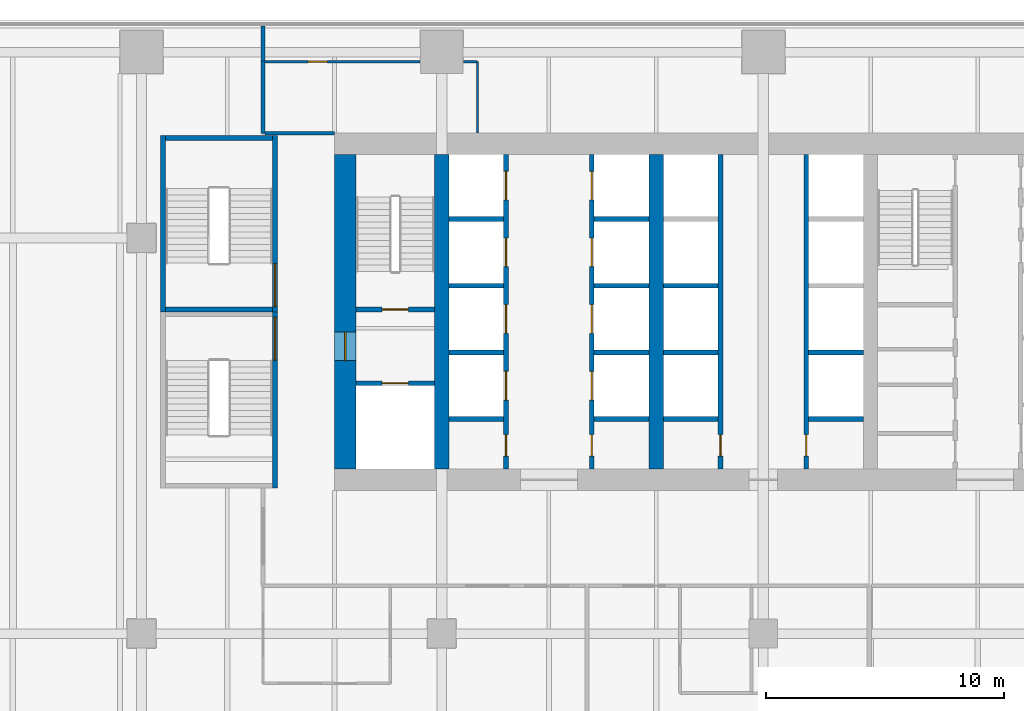
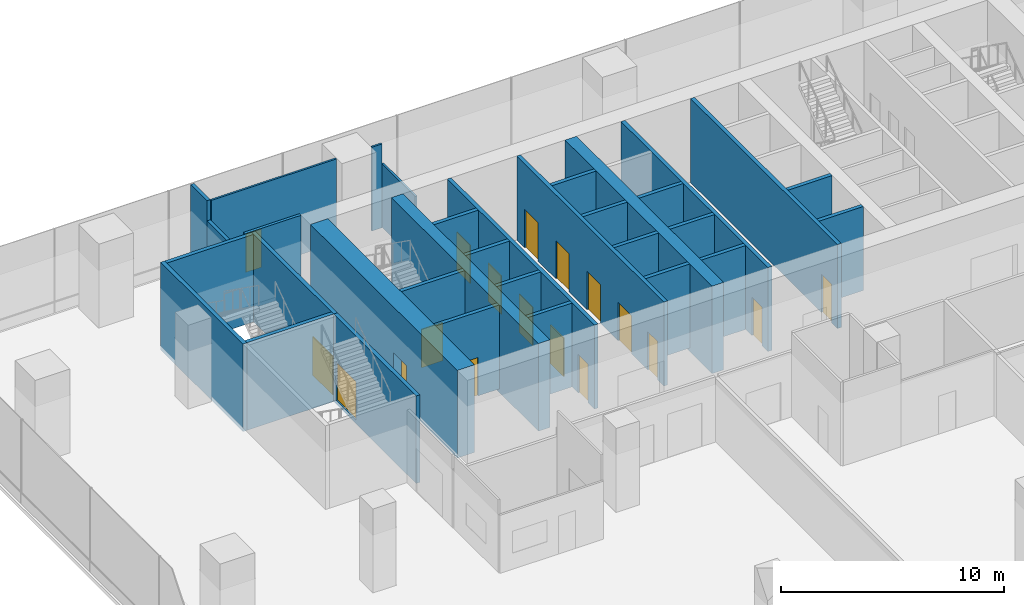
# One storey, part 20 of 28: 33 walls, 18 doors, 18 openings.
"""IFC4 building model written with IfcOpenShell, lengths in metres."""

from ifc_helpers import new_model, si_unit, direction, frame, frame_2d, origin, place, context, subcontext, project, spatial, rectangle, extrude, material, layer, layer_set, type_object, element, fill, save


model = new_model("IFC4")

# Units and contexts
model_context = context("Model", 3, precision=1e-05, world=origin(), true_north=direction((0.0, 1.0)))
body_context = subcontext(model_context, "Body", "Model", "MODEL_VIEW")
ifc_project = project(units=[si_unit("LENGTHUNIT", "METRE"), si_unit("AREAUNIT", "SQUARE_METRE"), si_unit("VOLUMEUNIT", "CUBIC_METRE"), si_unit("PLANEANGLEUNIT", "RADIAN"), si_unit("MASSUNIT", "GRAM", prefix="KILO")], contexts=[model_context])

# Site, building, storey
site_placement = place(None, origin())
site = spatial("IfcSite", under=ifc_project, at=site_placement, CompositionType="ELEMENT")
building_placement = place(site_placement, origin())
building = spatial("IfcBuilding", under=site, at=building_placement, Name="Rattan Terrace Tower", CompositionType="ELEMENT")
storey_placement = place(building_placement, frame((0.0, 0.0, 22.199951171875)))
storey = spatial("IfcBuildingStorey", under=building, at=storey_placement, Name="L04", CompositionType="ELEMENT", Elevation=22.199951171875)

# Wall, opening, door
ifc_material_1 = material(Name="Gypsum board partition")
ifc_layer_1 = layer(ifc_material_1, 0.199951171875)
ifc_layer_set_1 = layer_set([ifc_layer_1], Name="Core partition 200")
wall_type_1 = type_object("IfcWallType", Name="Core partition 200", PredefinedType="PARTITIONING", material=ifc_layer_set_1)
wall_1_placement = place(storey_placement, frame((-17.10009765625, -3.0, 0.0), z_axis=(0.0, 0.0, 1.0), x_axis=(1.0, 0.0, 0.0)))
wall_1 = element("IfcWall", 1, at=wall_1_placement, inside=storey, type_object=wall_type_1, Name="Fire-fighting lobby wall", PredefinedType="PARTITIONING", context=body_context, shape_type="SweptSolid", body=[
    extrude(rectangle(XDim=3.300048828125, YDim=0.199951171875, at=frame_2d((1.64990234375, 0.0))), origin(), (0.0, 0.0, 1.0), 4.60009765625),
])
opening_1_placement = place(wall_1_placement, frame((1.10009765625, 0.0, 0.0)))
opening_1 = element("IfcOpeningElement", 2, at=opening_1_placement, cuts=wall_1, Name="Opening L04-LD-FF1", PredefinedType="OPENING", context=body_context, shape_type="SweptSolid", body=[
    extrude(rectangle(XDim=1.10009765625, YDim=2.10009765625, at=frame_2d((0.550048828125, 1.050048828125))), frame((0.0, 0.110595703125, 0.0), z_axis=(0.0, -1.0, 0.0), x_axis=(1.0, 0.0, 0.0)), (0.0, 0.0, 1.0), 0.220947265625),
])
ifc_material_2 = material(Name="Brushed stainless landing door panel")
door_type_1 = type_object("IfcDoorType", Name="Core lift landing door 1100", OperationType="DOUBLE_DOOR_SLIDING", PredefinedType="DOOR", material=ifc_material_2)
door_1_placement = place(opening_1_placement, origin())
door_1 = element("IfcDoor", 3, at=door_1_placement, inside=storey, type_object=door_type_1, Name="Door L04-LD-FF1", OperationType="DOUBLE_DOOR_SLIDING", OverallHeight=2.10009765625, OverallWidth=1.10009765625, PredefinedType="DOOR", context=body_context, shape_type="SweptSolid", body=[
    extrude(rectangle(XDim=1.10009765625, YDim=2.10009765625, at=frame_2d((0.550048828125, 1.050048828125))), frame((0.0, 0.02490234375, 0.0), z_axis=(0.0, -1.0, 0.0), x_axis=(1.0, 0.0, 0.0)), (0.0, 0.0, 1.0), 0.050048828125),
])
fill(opening_1, door_1)

wall_2_placement = place(storey_placement, frame((-17.10009765625, 0.10009765625, 0.0), z_axis=(0.0, 0.0, 1.0), x_axis=(1.0, 0.0, 0.0)))
wall_2 = element("IfcWall", 4, at=wall_2_placement, inside=storey, type_object=wall_type_1, Name="Stair enclosure wall", PredefinedType="PARTITIONING", context=body_context, shape_type="SweptSolid", body=[
    extrude(rectangle(XDim=3.300048828125, YDim=0.199951171875, at=frame_2d((1.64990234375, 0.0))), origin(), (0.0, 0.0, 1.0), 4.60009765625),
])
opening_2_placement = place(wall_2_placement, frame((1.10009765625, 0.0, 0.0)))
opening_2 = element("IfcOpeningElement", 5, at=opening_2_placement, cuts=wall_2, Name="Opening L04-D002", PredefinedType="OPENING", context=body_context, shape_type="SweptSolid", body=[
    extrude(rectangle(XDim=1.10009765625, YDim=2.10009765625, at=frame_2d((0.550048828125, 1.050048828125))), frame((0.0, 0.110595703125, 0.0), z_axis=(0.0, -1.0, 0.0), x_axis=(1.0, 0.0, 0.0)), (0.0, 0.0, 1.0), 0.220947265625),
])
ifc_material_3 = material(Name="Hollow-metal fire door leaf")
door_type_2 = type_object("IfcDoorType", Name="Core stair door 1100", OperationType="NOTDEFINED", PredefinedType="DOOR", material=ifc_material_3)
door_2_placement = place(opening_2_placement, origin())
door_2 = element("IfcDoor", 6, at=door_2_placement, inside=storey, type_object=door_type_2, Name="Door L04-D002", OperationType="SINGLE_SWING_LEFT", OverallHeight=2.10009765625, OverallWidth=1.10009765625, PredefinedType="DOOR", context=body_context, shape_type="SweptSolid", body=[
    extrude(rectangle(XDim=1.10009765625, YDim=2.10009765625, at=frame_2d((0.550048828125, 1.050048828125))), frame((0.0, 0.02490234375, 0.0), z_axis=(0.0, -1.0, 0.0), x_axis=(1.0, 0.0, 0.0)), (0.0, 0.0, 1.0), 0.050048828125),
])
fill(opening_2, door_2)

ifc_material_4 = material(Name="Concrete C70/85", Category="concrete")
ifc_layer_2 = layer(ifc_material_4, 0.89990234375)
ifc_layer_set_2 = layer_set([ifc_layer_2], Name="Core ring wall 900 C70/85")
wall_type_2 = type_object("IfcWallType", Name="Core ring wall 900 C70/85", PredefinedType="SHEAR", material=ifc_layer_set_2)
wall_3_placement = place(storey_placement, frame((-17.550048828125, -6.60009765625, -0.199951171875), z_axis=(0.0, 0.0, 1.0), x_axis=(0.0, 1.0, 0.0)))
wall_3 = element("IfcWall", 7, at=wall_3_placement, inside=storey, type_object=wall_type_2, Name="Rear core wall west", PredefinedType="SHEAR", context=body_context, shape_type="SweptSolid", body=[
    extrude(rectangle(XDim=13.2001953125, YDim=0.89990234375, at=frame_2d((6.60009765625, 0.0))), origin(), (0.0, 0.0, 1.0), 4.800048828125),
])
opening_3_placement = place(wall_3_placement, frame((4.550048828125, 0.0, 0.199951171875)))
opening_3 = element("IfcOpeningElement", 8, at=opening_3_placement, cuts=wall_3, Name="Opening L04-D001", PredefinedType="OPENING", context=body_context, shape_type="SweptSolid", body=[
    extrude(rectangle(XDim=1.199951171875, YDim=2.10009765625, at=frame_2d((0.60009765625, 1.050048828125))), frame((0.0, 0.46044921875, 0.0), z_axis=(0.0, -1.0, 0.0), x_axis=(1.0, 0.0, 0.0)), (0.0, 0.0, 1.0), 0.9208984375),
])
ifc_material_5 = material(Name="Hollow-metal fire door leaf")
door_type_3 = type_object("IfcDoorType", Name="Core fire-fighting lobby door 1200", OperationType="NOTDEFINED", PredefinedType="DOOR", material=ifc_material_5)
door_3_placement = place(opening_3_placement, origin())
door_3 = element("IfcDoor", 9, at=door_3_placement, inside=storey, type_object=door_type_3, Name="Door L04-D001", OperationType="SINGLE_SWING_RIGHT", OverallHeight=2.10009765625, OverallWidth=1.199951171875, PredefinedType="DOOR", context=body_context, shape_type="SweptSolid", body=[
    extrude(rectangle(XDim=1.199951171875, YDim=2.10009765625, at=frame_2d((0.60009765625, 1.050048828125))), frame((0.0, 0.02490234375, 0.0), z_axis=(0.0, -1.0, 0.0), x_axis=(1.0, 0.0, 0.0)), (0.0, 0.0, 1.0), 0.050048828125),
])
fill(opening_3, door_3)

# Walls
ifc_material_6 = material(Name="Concrete C70/85", Category="concrete")
ifc_layer_3 = layer(ifc_material_6, 0.60009765625)
ifc_layer_set_3 = layer_set([ifc_layer_3], Name="Core spine wall 600 C70/85")
wall_type_3 = type_object("IfcWallType", Name="Core spine wall 600 C70/85", PredefinedType="SHEAR", material=ifc_layer_set_3)
for number, where, z_axis, x_axis, name in (
    (10, (-13.5, -6.60009765625, -0.199951171875), (0.0, 0.0, 1.0), (0.0, 1.0, 0.0), "Core spine wall 1"),
    (11, (-4.5, -6.60009765625, -0.199951171875), (0.0, 0.0, 1.0), (0.0, 1.0, 0.0), "Core spine wall 2"),
):
    element("IfcWall", number, at=place(storey_placement, frame(where, z_axis=z_axis, x_axis=x_axis)), inside=storey, type_object=wall_type_3, Name=name, PredefinedType="SHEAR", context=body_context, shape_type="SweptSolid", body=[
        extrude(rectangle(XDim=13.2001953125, YDim=0.60009765625, at=frame_2d((6.60009765625, 0.0))), origin(), (0.0, 0.0, 1.0), 4.800048828125),
    ])
ifc_material_7 = material(Name="Double steel stud acoustic partition, gypsum board, mineral wool, fire rated", Category="steel")
ifc_layer_4 = layer(ifc_material_7, 0.179931640625)
ifc_layer_set_4 = layer_set([ifc_layer_4], Name="Floors Acoustic Party Wall 180")
wall_type_4 = type_object("IfcWallType", Name="Floors Acoustic Party Wall 180", PredefinedType="PARTITIONING", material=ifc_layer_set_4)
wall_4_placement = place(storey_placement, frame((-21.0, 11.989990234375, 0.0), z_axis=(0.0, 0.0, 1.0), x_axis=(0.0, -1.0, 0.0)))
element("IfcWall", 12, at=wall_4_placement, inside=storey, type_object=wall_type_4, Name="pt-L04-017", PredefinedType="PARTITIONING", context=body_context, shape_type="SweptSolid", body=[
    extrude(rectangle(XDim=1.469970703125, YDim=0.179931640625, at=frame_2d((0.73486328125, 0.0))), origin(), (0.0, 0.0, 1.0), 4.60009765625),
])
wall_5_placement = place(storey_placement, frame((-21.0, 10.52001953125, 0.0), z_axis=(0.0, 0.0, 1.0), x_axis=(0.0, -1.0, 0.0)))
element("IfcWall", 13, at=wall_5_placement, inside=storey, type_object=wall_type_4, Name="pt-L04-018", PredefinedType="PARTITIONING", context=body_context, shape_type="SweptSolid", body=[
    extrude(rectangle(XDim=3.0400390625, YDim=0.179931640625, at=frame_2d((1.52001953125, 0.0))), origin(), (0.0, 0.0, 1.0), 3.5),
])

# Wall, opening, door
ifc_material_8 = material(Name="Gypsum board partition on steel studs", Category="steel")
ifc_layer_5 = layer(ifc_material_8, 0.10009765625)
ifc_layer_set_5 = layer_set([ifc_layer_5], Name="Floors Partition 100")
wall_type_5 = type_object("IfcWallType", Name="Floors Partition 100", PredefinedType="PARTITIONING", material=ifc_layer_set_5)
wall_6_placement = place(storey_placement, frame((-14.419921875, 10.5, 0.0), z_axis=(0.0, 0.0, 1.0), x_axis=(-1.0, 0.0, 0.0)))
wall_6 = element("IfcWall", 14, at=wall_6_placement, inside=storey, type_object=wall_type_5, Name="pt-L04-038", PredefinedType="PARTITIONING", context=body_context, shape_type="SweptSolid", body=[
    extrude(rectangle(XDim=6.489990234375, YDim=0.10009765625, at=frame_2d((3.2451171875, 0.0))), origin(), (0.0, 0.0, 1.0), 4.60009765625),
])
opening_4_placement = place(wall_6_placement, frame((3.883056640625, 0.0, 0.0)))
opening_4 = element("IfcOpeningElement", 15, at=opening_4_placement, cuts=wall_6, Name="Opening L04-D110", PredefinedType="OPENING", context=body_context, shape_type="SweptSolid", body=[
    extrude(rectangle(XDim=0.800048828125, YDim=2.10009765625, at=frame_2d((0.39990234375, 1.050048828125))), frame((0.0, 0.060546875, 0.0), z_axis=(0.0, -1.0, 0.0), x_axis=(1.0, 0.0, 0.0)), (0.0, 0.0, 1.0), 0.12109375),
])
ifc_material_9 = material(Name="Solid core timber door, painted", Category="wood")
door_type_4 = type_object("IfcDoorType", Name="Floors Store Door 800x2100", OperationType="NOTDEFINED", PredefinedType="DOOR", material=ifc_material_9)
door_4_placement = place(opening_4_placement, origin())
door_4 = element("IfcDoor", 16, at=door_4_placement, inside=storey, type_object=door_type_4, Name="d-L04-110", OperationType="SINGLE_SWING_RIGHT", OverallHeight=2.10009765625, OverallWidth=0.800048828125, PredefinedType="DOOR", context=body_context, shape_type="SweptSolid", body=[
    extrude(rectangle(XDim=0.800048828125, YDim=2.10009765625, at=frame_2d((0.39990234375, 1.050048828125))), frame((0.0, 0.02490234375, 0.0), z_axis=(0.0, -1.0, 0.0), x_axis=(1.0, 0.0, 0.0)), (0.0, 0.0, 1.0), 0.050048828125),
])
fill(opening_4, door_4)

# Walls
wall_7_placement = place(storey_placement, frame((-12.050048828125, 10.5, 0.0), z_axis=(0.0, 0.0, 1.0), x_axis=(-1.0, 0.0, 0.0)))
element("IfcWall", 17, at=wall_7_placement, inside=storey, type_object=wall_type_5, Name="pt-L04-039", PredefinedType="PARTITIONING", context=body_context, shape_type="SweptSolid", body=[
    extrude(rectangle(XDim=0.530029296875, YDim=0.10009765625, at=frame_2d((0.26513671875, 0.0))), origin(), (0.0, 0.0, 1.0), 4.60009765625),
])
wall_8_placement = place(storey_placement, frame((-12.0, 7.5, 0.0), z_axis=(0.0, 0.0, 1.0), x_axis=(0.0, 1.0, 0.0)))
element("IfcWall", 18, at=wall_8_placement, inside=storey, type_object=wall_type_5, Name="pt-L04-040", PredefinedType="PARTITIONING", context=body_context, shape_type="SweptSolid", body=[
    extrude(rectangle(XDim=3.0, YDim=0.10009765625, at=frame_2d((1.5, 0.0))), origin(), (0.0, 0.0, 1.0), 3.5),
])
ifc_material_10 = material(Name="Gypsum board partition on steel studs, fire rated", Category="steel")
ifc_layer_6 = layer(ifc_material_10, 0.14990234375)
ifc_layer_set_6 = layer_set([ifc_layer_6], Name="Floors Tenancy Wall 150")
wall_type_6 = type_object("IfcWallType", Name="Floors Tenancy Wall 150", PredefinedType="PARTITIONING", material=ifc_layer_set_6)
wall_9_placement = place(storey_placement, frame((-20.909912109375, 7.4990234375, 0.0), z_axis=(0.0, 0.0, 1.0), x_axis=(1.0, 0.0, 0.0)))
element("IfcWall", 19, at=wall_9_placement, inside=storey, type_object=wall_type_6, Name="pt-L04-012", PredefinedType="PARTITIONING", context=body_context, shape_type="SweptSolid", body=[
    extrude(rectangle(XDim=2.909912109375, YDim=0.14990234375, at=frame_2d((1.455078125, 0.0))), origin(), (0.0, 0.0, 1.0), 4.60009765625),
])

# Wall, openings, doors
ifc_material_11 = material(Name="Gypsum shaft wall system")
ifc_layer_7 = layer(ifc_material_11, 0.199951171875)
ifc_layer_set_7 = layer_set([ifc_layer_7], Name="Lift shaft wall 200")
wall_type_7 = type_object("IfcWallType", Name="Lift shaft wall 200", PredefinedType="PARTITIONING", material=ifc_layer_set_7)
wall_10_placement = place(storey_placement, frame((-10.800048828125, -6.60009765625, 0.0), z_axis=(0.0, 0.0, 1.0), x_axis=(0.0, 1.0, 0.0)))
wall_10 = element("IfcWall", 20, at=wall_10_placement, inside=storey, type_object=wall_type_7, Name="Lift shaft front wall", PredefinedType="PARTITIONING", context=body_context, shape_type="SweptSolid", body=[
    extrude(rectangle(XDim=13.2001953125, YDim=0.199951171875, at=frame_2d((6.60009765625, 0.0))), origin(), (0.0, 0.0, 1.0), 4.60009765625),
])
opening_5_placement = place(wall_10_placement, frame((0.550048828125, 0.0, 0.0)))
opening_5 = element("IfcOpeningElement", 21, at=opening_5_placement, cuts=wall_10, Name="Opening L04-D005", PredefinedType="OPENING", context=body_context, shape_type="SweptSolid", body=[
    extrude(rectangle(XDim=0.89990234375, YDim=2.10009765625, at=frame_2d((0.449951171875, 1.050048828125))), frame((0.0, 0.110595703125, 0.0), z_axis=(0.0, -1.0, 0.0), x_axis=(1.0, 0.0, 0.0)), (0.0, 0.0, 1.0), 0.220947265625),
])
opening_6_placement = place(wall_10_placement, frame((2.89990234375, 0.0, 0.0)))
opening_6 = element("IfcOpeningElement", 22, at=opening_6_placement, cuts=wall_10, Name="Opening L04-LD-LR1", PredefinedType="OPENING", context=body_context, shape_type="SweptSolid", body=[
    extrude(rectangle(XDim=1.199951171875, YDim=2.10009765625, at=frame_2d((0.60009765625, 1.050048828125))), frame((0.0, 0.110595703125, 0.0), z_axis=(0.0, -1.0, 0.0), x_axis=(1.0, 0.0, 0.0)), (0.0, 0.0, 1.0), 0.220947265625),
])
opening_7_placement = place(wall_10_placement, frame((5.699951171875, 0.0, 0.0)))
opening_7 = element("IfcOpeningElement", 23, at=opening_7_placement, cuts=wall_10, Name="Opening L04-LD-LR2", PredefinedType="OPENING", context=body_context, shape_type="SweptSolid", body=[
    extrude(rectangle(XDim=1.199951171875, YDim=2.10009765625, at=frame_2d((0.60009765625, 1.050048828125))), frame((0.0, 0.110595703125, 0.0), z_axis=(0.0, -1.0, 0.0), x_axis=(1.0, 0.0, 0.0)), (0.0, 0.0, 1.0), 0.220947265625),
])
opening_8_placement = place(wall_10_placement, frame((8.5, 0.0, 0.0)))
opening_8 = element("IfcOpeningElement", 24, at=opening_8_placement, cuts=wall_10, Name="Opening L04-LD-LR3", PredefinedType="OPENING", context=body_context, shape_type="SweptSolid", body=[
    extrude(rectangle(XDim=1.199951171875, YDim=2.10009765625, at=frame_2d((0.60009765625, 1.050048828125))), frame((0.0, 0.110595703125, 0.0), z_axis=(0.0, -1.0, 0.0), x_axis=(1.0, 0.0, 0.0)), (0.0, 0.0, 1.0), 0.220947265625),
])
opening_9_placement = place(wall_10_placement, frame((11.300048828125, 0.0, 0.0)))
opening_9 = element("IfcOpeningElement", 25, at=opening_9_placement, cuts=wall_10, Name="Opening L04-LD-LR4", PredefinedType="OPENING", context=body_context, shape_type="SweptSolid", body=[
    extrude(rectangle(XDim=1.199951171875, YDim=2.10009765625, at=frame_2d((0.60009765625, 1.050048828125))), frame((0.0, 0.110595703125, 0.0), z_axis=(0.0, -1.0, 0.0), x_axis=(1.0, 0.0, 0.0)), (0.0, 0.0, 1.0), 0.220947265625),
])
ifc_material_12 = material(Name="Brushed stainless landing door panel")
door_type_5 = type_object("IfcDoorType", Name="Core lift landing door 1200", OperationType="DOUBLE_DOOR_SLIDING", PredefinedType="DOOR", material=ifc_material_12)
door_5_placement = place(opening_6_placement, origin())
door_5 = element("IfcDoor", 26, at=door_5_placement, inside=storey, type_object=door_type_5, Name="Door L04-LD-LR1", OperationType="DOUBLE_DOOR_SLIDING", OverallHeight=2.10009765625, OverallWidth=1.199951171875, PredefinedType="DOOR", context=body_context, shape_type="SweptSolid", body=[
    extrude(rectangle(XDim=1.199951171875, YDim=2.10009765625, at=frame_2d((0.60009765625, 1.050048828125))), frame((0.0, 0.02490234375, 0.0), z_axis=(0.0, -1.0, 0.0), x_axis=(1.0, 0.0, 0.0)), (0.0, 0.0, 1.0), 0.050048828125),
])
fill(opening_6, door_5)
door_6_placement = place(opening_7_placement, origin())
door_6 = element("IfcDoor", 27, at=door_6_placement, inside=storey, type_object=door_type_5, Name="Door L04-LD-LR2", OperationType="DOUBLE_DOOR_SLIDING", OverallHeight=2.10009765625, OverallWidth=1.199951171875, PredefinedType="DOOR", context=body_context, shape_type="SweptSolid", body=[
    extrude(rectangle(XDim=1.199951171875, YDim=2.10009765625, at=frame_2d((0.60009765625, 1.050048828125))), frame((0.0, 0.02490234375, 0.0), z_axis=(0.0, -1.0, 0.0), x_axis=(1.0, 0.0, 0.0)), (0.0, 0.0, 1.0), 0.050048828125),
])
fill(opening_7, door_6)
door_7_placement = place(opening_8_placement, origin())
door_7 = element("IfcDoor", 28, at=door_7_placement, inside=storey, type_object=door_type_5, Name="Door L04-LD-LR3", OperationType="DOUBLE_DOOR_SLIDING", OverallHeight=2.10009765625, OverallWidth=1.199951171875, PredefinedType="DOOR", context=body_context, shape_type="SweptSolid", body=[
    extrude(rectangle(XDim=1.199951171875, YDim=2.10009765625, at=frame_2d((0.60009765625, 1.050048828125))), frame((0.0, 0.02490234375, 0.0), z_axis=(0.0, -1.0, 0.0), x_axis=(1.0, 0.0, 0.0)), (0.0, 0.0, 1.0), 0.050048828125),
])
fill(opening_8, door_7)
door_8_placement = place(opening_9_placement, origin())
door_8 = element("IfcDoor", 29, at=door_8_placement, inside=storey, type_object=door_type_5, Name="Door L04-LD-LR4", OperationType="DOUBLE_DOOR_SLIDING", OverallHeight=2.10009765625, OverallWidth=1.199951171875, PredefinedType="DOOR", context=body_context, shape_type="SweptSolid", body=[
    extrude(rectangle(XDim=1.199951171875, YDim=2.10009765625, at=frame_2d((0.60009765625, 1.050048828125))), frame((0.0, 0.02490234375, 0.0), z_axis=(0.0, -1.0, 0.0), x_axis=(1.0, 0.0, 0.0)), (0.0, 0.0, 1.0), 0.050048828125),
])
fill(opening_9, door_8)
ifc_material_13 = material(Name="Hollow-metal fire door leaf")
door_type_6 = type_object("IfcDoorType", Name="Core riser door 900", OperationType="NOTDEFINED", PredefinedType="DOOR", material=ifc_material_13)
door_9_placement = place(opening_5_placement, origin())
door_9 = element("IfcDoor", 30, at=door_9_placement, inside=storey, type_object=door_type_6, Name="Door L04-D005", OperationType="SINGLE_SWING_RIGHT", OverallHeight=2.10009765625, OverallWidth=0.89990234375, PredefinedType="DOOR", context=body_context, shape_type="SweptSolid", body=[
    extrude(rectangle(XDim=0.89990234375, YDim=2.10009765625, at=frame_2d((0.449951171875, 1.050048828125))), frame((0.0, 0.02490234375, 0.0), z_axis=(0.0, -1.0, 0.0), x_axis=(1.0, 0.0, 0.0)), (0.0, 0.0, 1.0), 0.050048828125),
])
fill(opening_5, door_9)

wall_11_placement = place(storey_placement, frame((-7.199951171875, -6.60009765625, 0.0), z_axis=(0.0, 0.0, 1.0), x_axis=(0.0, 1.0, 0.0)))
wall_11 = element("IfcWall", 31, at=wall_11_placement, inside=storey, type_object=wall_type_7, Name="Lift shaft front wall", PredefinedType="PARTITIONING", context=body_context, shape_type="SweptSolid", body=[
    extrude(rectangle(XDim=13.2001953125, YDim=0.199951171875, at=frame_2d((6.60009765625, 0.0))), origin(), (0.0, 0.0, 1.0), 4.60009765625),
])
opening_10_placement = place(wall_11_placement, frame((0.550048828125, 0.0, 0.0)))
opening_10 = element("IfcOpeningElement", 32, at=opening_10_placement, cuts=wall_11, Name="Opening L04-D006", PredefinedType="OPENING", context=body_context, shape_type="SweptSolid", body=[
    extrude(rectangle(XDim=0.89990234375, YDim=2.10009765625, at=frame_2d((0.449951171875, 1.050048828125))), frame((0.0, 0.110595703125, 0.0), z_axis=(0.0, -1.0, 0.0), x_axis=(1.0, 0.0, 0.0)), (0.0, 0.0, 1.0), 0.220947265625),
])
opening_11_placement = place(wall_11_placement, frame((2.89990234375, 0.0, 0.0)))
opening_11 = element("IfcOpeningElement", 33, at=opening_11_placement, cuts=wall_11, Name="Opening L04-LD-LR5", PredefinedType="OPENING", context=body_context, shape_type="SweptSolid", body=[
    extrude(rectangle(XDim=1.199951171875, YDim=2.10009765625, at=frame_2d((0.60009765625, 1.050048828125))), frame((0.0, 0.110595703125, 0.0), z_axis=(0.0, -1.0, 0.0), x_axis=(1.0, 0.0, 0.0)), (0.0, 0.0, 1.0), 0.220947265625),
])
opening_12_placement = place(wall_11_placement, frame((5.699951171875, 0.0, 0.0)))
opening_12 = element("IfcOpeningElement", 34, at=opening_12_placement, cuts=wall_11, Name="Opening L04-LD-LR6", PredefinedType="OPENING", context=body_context, shape_type="SweptSolid", body=[
    extrude(rectangle(XDim=1.199951171875, YDim=2.10009765625, at=frame_2d((0.60009765625, 1.050048828125))), frame((0.0, 0.110595703125, 0.0), z_axis=(0.0, -1.0, 0.0), x_axis=(1.0, 0.0, 0.0)), (0.0, 0.0, 1.0), 0.220947265625),
])
opening_13_placement = place(wall_11_placement, frame((8.5, 0.0, 0.0)))
opening_13 = element("IfcOpeningElement", 35, at=opening_13_placement, cuts=wall_11, Name="Opening L04-LD-LR7", PredefinedType="OPENING", context=body_context, shape_type="SweptSolid", body=[
    extrude(rectangle(XDim=1.199951171875, YDim=2.10009765625, at=frame_2d((0.60009765625, 1.050048828125))), frame((0.0, 0.110595703125, 0.0), z_axis=(0.0, -1.0, 0.0), x_axis=(1.0, 0.0, 0.0)), (0.0, 0.0, 1.0), 0.220947265625),
])
opening_14_placement = place(wall_11_placement, frame((11.300048828125, 0.0, 0.0)))
opening_14 = element("IfcOpeningElement", 36, at=opening_14_placement, cuts=wall_11, Name="Opening L04-LD-LR8", PredefinedType="OPENING", context=body_context, shape_type="SweptSolid", body=[
    extrude(rectangle(XDim=1.199951171875, YDim=2.10009765625, at=frame_2d((0.60009765625, 1.050048828125))), frame((0.0, 0.110595703125, 0.0), z_axis=(0.0, -1.0, 0.0), x_axis=(1.0, 0.0, 0.0)), (0.0, 0.0, 1.0), 0.220947265625),
])
door_10_placement = place(opening_11_placement, origin())
door_10 = element("IfcDoor", 37, at=door_10_placement, inside=storey, type_object=door_type_5, Name="Door L04-LD-LR5", OperationType="DOUBLE_DOOR_SLIDING", OverallHeight=2.10009765625, OverallWidth=1.199951171875, PredefinedType="DOOR", context=body_context, shape_type="SweptSolid", body=[
    extrude(rectangle(XDim=1.199951171875, YDim=2.10009765625, at=frame_2d((0.60009765625, 1.050048828125))), frame((0.0, 0.02490234375, 0.0), z_axis=(0.0, -1.0, 0.0), x_axis=(1.0, 0.0, 0.0)), (0.0, 0.0, 1.0), 0.050048828125),
])
fill(opening_11, door_10)
door_11_placement = place(opening_12_placement, origin())
door_11 = element("IfcDoor", 38, at=door_11_placement, inside=storey, type_object=door_type_5, Name="Door L04-LD-LR6", OperationType="DOUBLE_DOOR_SLIDING", OverallHeight=2.10009765625, OverallWidth=1.199951171875, PredefinedType="DOOR", context=body_context, shape_type="SweptSolid", body=[
    extrude(rectangle(XDim=1.199951171875, YDim=2.10009765625, at=frame_2d((0.60009765625, 1.050048828125))), frame((0.0, 0.02490234375, 0.0), z_axis=(0.0, -1.0, 0.0), x_axis=(1.0, 0.0, 0.0)), (0.0, 0.0, 1.0), 0.050048828125),
])
fill(opening_12, door_11)
door_12_placement = place(opening_13_placement, origin())
door_12 = element("IfcDoor", 39, at=door_12_placement, inside=storey, type_object=door_type_5, Name="Door L04-LD-LR7", OperationType="DOUBLE_DOOR_SLIDING", OverallHeight=2.10009765625, OverallWidth=1.199951171875, PredefinedType="DOOR", context=body_context, shape_type="SweptSolid", body=[
    extrude(rectangle(XDim=1.199951171875, YDim=2.10009765625, at=frame_2d((0.60009765625, 1.050048828125))), frame((0.0, 0.02490234375, 0.0), z_axis=(0.0, -1.0, 0.0), x_axis=(1.0, 0.0, 0.0)), (0.0, 0.0, 1.0), 0.050048828125),
])
fill(opening_13, door_12)
door_13_placement = place(opening_14_placement, origin())
door_13 = element("IfcDoor", 40, at=door_13_placement, inside=storey, type_object=door_type_5, Name="Door L04-LD-LR8", OperationType="DOUBLE_DOOR_SLIDING", OverallHeight=2.10009765625, OverallWidth=1.199951171875, PredefinedType="DOOR", context=body_context, shape_type="SweptSolid", body=[
    extrude(rectangle(XDim=1.199951171875, YDim=2.10009765625, at=frame_2d((0.60009765625, 1.050048828125))), frame((0.0, 0.02490234375, 0.0), z_axis=(0.0, -1.0, 0.0), x_axis=(1.0, 0.0, 0.0)), (0.0, 0.0, 1.0), 0.050048828125),
])
fill(opening_14, door_13)
door_14_placement = place(opening_10_placement, origin())
door_14 = element("IfcDoor", 41, at=door_14_placement, inside=storey, type_object=door_type_6, Name="Door L04-D006", OperationType="SINGLE_SWING_LEFT", OverallHeight=2.10009765625, OverallWidth=0.89990234375, PredefinedType="DOOR", context=body_context, shape_type="SweptSolid", body=[
    extrude(rectangle(XDim=0.89990234375, YDim=2.10009765625, at=frame_2d((0.449951171875, 1.050048828125))), frame((0.0, 0.02490234375, 0.0), z_axis=(0.0, -1.0, 0.0), x_axis=(1.0, 0.0, 0.0)), (0.0, 0.0, 1.0), 0.050048828125),
])
fill(opening_10, door_14)

# Walls
for number, where, z_axis, x_axis, name in (
    (42, (-13.199951171875, -1.699951171875, 0.0), (0.0, 0.0, 1.0), (1.0, 0.0, 0.0), "Lift shaft wall"),
    (43, (-13.199951171875, 1.10009765625, 0.0), (0.0, 0.0, 1.0), (1.0, 0.0, 0.0), "Lift shaft wall"),
    (44, (-13.199951171875, 3.89990234375, 0.0), (0.0, 0.0, 1.0), (1.0, 0.0, 0.0), "Lift shaft wall"),
    (45, (-13.199951171875, -4.5, 0.0), (0.0, 0.0, 1.0), (1.0, 0.0, 0.0), "Lift shaft wall"),
    (46, (-7.10009765625, -1.699951171875, 0.0), (0.0, 0.0, 1.0), (1.0, 0.0, 0.0), "Lift shaft wall"),
    (47, (-7.10009765625, 1.10009765625, 0.0), (0.0, 0.0, 1.0), (1.0, 0.0, 0.0), "Lift shaft wall"),
    (48, (-7.10009765625, 3.89990234375, 0.0), (0.0, 0.0, 1.0), (1.0, 0.0, 0.0), "Lift shaft wall"),
    (49, (-7.10009765625, -4.5, 0.0), (0.0, 0.0, 1.0), (1.0, 0.0, 0.0), "Lift shaft wall"),
):
    element("IfcWall", number, at=place(storey_placement, frame(where, z_axis=z_axis, x_axis=x_axis)), inside=storey, type_object=wall_type_7, Name=name, PredefinedType="PARTITIONING", context=body_context, shape_type="SweptSolid", body=[
        extrude(rectangle(XDim=2.300048828125, YDim=0.199951171875, at=frame_2d((1.14990234375, 0.0))), origin(), (0.0, 0.0, 1.0), 4.60009765625),
    ])

# Wall, opening, door
wall_12_placement = place(storey_placement, frame((-1.800048828125, -6.60009765625, 0.0), z_axis=(0.0, 0.0, 1.0), x_axis=(0.0, 1.0, 0.0)))
wall_12 = element("IfcWall", 50, at=wall_12_placement, inside=storey, type_object=wall_type_7, Name="Lift shaft front wall", PredefinedType="PARTITIONING", context=body_context, shape_type="SweptSolid", body=[
    extrude(rectangle(XDim=13.2001953125, YDim=0.199951171875, at=frame_2d((6.60009765625, 0.0))), origin(), (0.0, 0.0, 1.0), 4.60009765625),
])
opening_15_placement = place(wall_12_placement, frame((0.550048828125, 0.0, 0.0)))
opening_15 = element("IfcOpeningElement", 51, at=opening_15_placement, cuts=wall_12, Name="Opening L04-D008", PredefinedType="OPENING", context=body_context, shape_type="SweptSolid", body=[
    extrude(rectangle(XDim=0.89990234375, YDim=2.10009765625, at=frame_2d((0.449951171875, 1.050048828125))), frame((0.0, 0.110595703125, 0.0), z_axis=(0.0, -1.0, 0.0), x_axis=(1.0, 0.0, 0.0)), (0.0, 0.0, 1.0), 0.220947265625),
])
door_15_placement = place(opening_15_placement, origin())
door_15 = element("IfcDoor", 52, at=door_15_placement, inside=storey, type_object=door_type_6, Name="Door L04-D008", OperationType="SINGLE_SWING_RIGHT", OverallHeight=2.10009765625, OverallWidth=0.89990234375, PredefinedType="DOOR", context=body_context, shape_type="SweptSolid", body=[
    extrude(rectangle(XDim=0.89990234375, YDim=2.10009765625, at=frame_2d((0.449951171875, 1.050048828125))), frame((0.0, 0.02490234375, 0.0), z_axis=(0.0, -1.0, 0.0), x_axis=(1.0, 0.0, 0.0)), (0.0, 0.0, 1.0), 0.050048828125),
])
fill(opening_15, door_15)

wall_13_placement = place(storey_placement, frame((1.800048828125, -6.60009765625, 0.0), z_axis=(0.0, 0.0, 1.0), x_axis=(0.0, 1.0, 0.0)))
wall_13 = element("IfcWall", 53, at=wall_13_placement, inside=storey, type_object=wall_type_7, Name="Lift shaft front wall", PredefinedType="PARTITIONING", context=body_context, shape_type="SweptSolid", body=[
    extrude(rectangle(XDim=13.2001953125, YDim=0.199951171875, at=frame_2d((6.60009765625, 0.0))), origin(), (0.0, 0.0, 1.0), 4.60009765625),
])
opening_16_placement = place(wall_13_placement, frame((0.550048828125, 0.0, 0.0)))
opening_16 = element("IfcOpeningElement", 54, at=opening_16_placement, cuts=wall_13, Name="Opening L04-D009", PredefinedType="OPENING", context=body_context, shape_type="SweptSolid", body=[
    extrude(rectangle(XDim=0.89990234375, YDim=2.10009765625, at=frame_2d((0.449951171875, 1.050048828125))), frame((0.0, 0.110595703125, 0.0), z_axis=(0.0, -1.0, 0.0), x_axis=(1.0, 0.0, 0.0)), (0.0, 0.0, 1.0), 0.220947265625),
])
door_16_placement = place(opening_16_placement, origin())
door_16 = element("IfcDoor", 55, at=door_16_placement, inside=storey, type_object=door_type_6, Name="Door L04-D009", OperationType="SINGLE_SWING_LEFT", OverallHeight=2.10009765625, OverallWidth=0.89990234375, PredefinedType="DOOR", context=body_context, shape_type="SweptSolid", body=[
    extrude(rectangle(XDim=0.89990234375, YDim=2.10009765625, at=frame_2d((0.449951171875, 1.050048828125))), frame((0.0, 0.02490234375, 0.0), z_axis=(0.0, -1.0, 0.0), x_axis=(1.0, 0.0, 0.0)), (0.0, 0.0, 1.0), 0.050048828125),
])
fill(opening_16, door_16)

# Walls
for number, where, z_axis, x_axis, name in (
    (56, (-4.199951171875, -1.699951171875, 0.0), (0.0, 0.0, 1.0), (1.0, 0.0, 0.0), "Lift shaft wall"),
    (57, (-4.199951171875, 1.10009765625, 0.0), (0.0, 0.0, 1.0), (1.0, 0.0, 0.0), "Lift shaft wall"),
    (58, (-4.199951171875, -4.5, 0.0), (0.0, 0.0, 1.0), (1.0, 0.0, 0.0), "Lift shaft wall"),
    (59, (1.89990234375, -1.699951171875, 0.0), (0.0, 0.0, 1.0), (1.0, 0.0, 0.0), "Lift shaft wall"),
    (60, (1.89990234375, -4.5, 0.0), (0.0, 0.0, 1.0), (1.0, 0.0, 0.0), "Lift shaft wall"),
):
    element("IfcWall", number, at=place(storey_placement, frame(where, z_axis=z_axis, x_axis=x_axis)), inside=storey, type_object=wall_type_7, Name=name, PredefinedType="PARTITIONING", context=body_context, shape_type="SweptSolid", body=[
        extrude(rectangle(XDim=2.300048828125, YDim=0.199951171875, at=frame_2d((1.14990234375, 0.0))), origin(), (0.0, 0.0, 1.0), 4.60009765625),
    ])

# Wall, opening, door
ifc_material_14 = material(Name="Concrete C40/50", Category="concrete")
ifc_layer_8 = layer(ifc_material_14, 0.199951171875)
ifc_layer_set_8 = layer_set([ifc_layer_8], Name="Podium exit stair shaft wall 200")
wall_type_8 = type_object("IfcWallType", Name="Podium exit stair shaft wall 200", PredefinedType="SHEAR", material=ifc_layer_set_8)
wall_14_placement = place(storey_placement, frame((-20.5, 0.0, -0.199951171875), z_axis=(0.0, 0.0, 1.0), x_axis=(0.0, -1.0, 0.0)))
wall_14 = element("IfcWall", 61, at=wall_14_placement, inside=storey, type_object=wall_type_8, Name="L04 stair S4 shaft wall", PredefinedType="SHEAR", context=body_context, shape_type="SweptSolid", body=[
    extrude(rectangle(XDim=7.39990234375, YDim=0.199951171875, at=frame_2d((3.699951171875, 0.0))), origin(), (0.0, 0.0, 1.0), 4.800048828125),
])
opening_17_placement = place(wall_14_placement, frame((0.22509765625, 0.0, 0.199951171875)))
opening_17 = element("IfcOpeningElement", 62, at=opening_17_placement, cuts=wall_14, Name="Opening L04-D901", PredefinedType="OPENING", context=body_context, shape_type="SweptSolid", body=[
    extrude(rectangle(XDim=1.800048828125, YDim=2.10009765625, at=frame_2d((0.89990234375, 1.050048828125))), frame((0.0, 0.110595703125, 0.0), z_axis=(0.0, -1.0, 0.0), x_axis=(1.0, 0.0, 0.0)), (0.0, 0.0, 1.0), 0.220947265625),
])
ifc_material_15 = material(Name="Hollow-metal fire door leaf")
door_type_7 = type_object("IfcDoorType", Name="Podium exit stair door pair 1800", OperationType="DOUBLE_DOOR_SINGLE_SWING", PredefinedType="DOOR", material=ifc_material_15)
door_17_placement = place(opening_17_placement, origin())
door_17 = element("IfcDoor", 63, at=door_17_placement, inside=storey, type_object=door_type_7, Name="Door L04-D901", OperationType="DOUBLE_DOOR_SINGLE_SWING", OverallHeight=2.10009765625, OverallWidth=1.800048828125, PredefinedType="DOOR", context=body_context, shape_type="SweptSolid", body=[
    extrude(rectangle(XDim=1.800048828125, YDim=2.10009765625, at=frame_2d((0.89990234375, 1.050048828125))), frame((0.0, 0.02490234375, 0.0), z_axis=(0.0, -1.0, 0.0), x_axis=(1.0, 0.0, 0.0)), (0.0, 0.0, 1.0), 0.050048828125),
])
fill(opening_17, door_17)

wall_15_placement = place(storey_placement, frame((-20.5, 7.39990234375, -0.199951171875), z_axis=(0.0, 0.0, 1.0), x_axis=(0.0, -1.0, 0.0)))
wall_15 = element("IfcWall", 64, at=wall_15_placement, inside=storey, type_object=wall_type_8, Name="L04 stair S5 shaft wall", PredefinedType="SHEAR", context=body_context, shape_type="SweptSolid", body=[
    extrude(rectangle(XDim=7.39990234375, YDim=0.199951171875, at=frame_2d((3.699951171875, 0.0))), origin(), (0.0, 0.0, 1.0), 4.800048828125),
])
opening_18_placement = place(wall_15_placement, frame((5.375, 0.0, 0.199951171875)))
opening_18 = element("IfcOpeningElement", 65, at=opening_18_placement, cuts=wall_15, Name="Opening L04-D902", PredefinedType="OPENING", context=body_context, shape_type="SweptSolid", body=[
    extrude(rectangle(XDim=1.800048828125, YDim=2.10009765625, at=frame_2d((0.89990234375, 1.050048828125))), frame((0.0, 0.110595703125, 0.0), z_axis=(0.0, -1.0, 0.0), x_axis=(1.0, 0.0, 0.0)), (0.0, 0.0, 1.0), 0.220947265625),
])
door_18_placement = place(opening_18_placement, origin())
door_18 = element("IfcDoor", 66, at=door_18_placement, inside=storey, type_object=door_type_7, Name="Door L04-D902", OperationType="DOUBLE_DOOR_SINGLE_SWING", OverallHeight=2.10009765625, OverallWidth=1.800048828125, PredefinedType="DOOR", context=body_context, shape_type="SweptSolid", body=[
    extrude(rectangle(XDim=1.800048828125, YDim=2.10009765625, at=frame_2d((0.89990234375, 1.050048828125))), frame((0.0, 0.02490234375, 0.0), z_axis=(0.0, -1.0, 0.0), x_axis=(1.0, 0.0, 0.0)), (0.0, 0.0, 1.0), 0.050048828125),
])
fill(opening_18, door_18)

# Walls
wall_16_placement = place(storey_placement, frame((-25.199951171875, 0.0, -0.199951171875), z_axis=(0.0, 0.0, 1.0), x_axis=(0.0, 1.0, 0.0)))
element("IfcWall", 67, at=wall_16_placement, inside=storey, type_object=wall_type_8, Name="L04 stair S5 shaft wall", PredefinedType="SHEAR", context=body_context, shape_type="SweptSolid", body=[
    extrude(rectangle(XDim=7.39990234375, YDim=0.199951171875, at=frame_2d((3.699951171875, 0.0))), origin(), (0.0, 0.0, 1.0), 4.800048828125),
])
for number, where, z_axis, x_axis, name in (
    (68, (-25.10009765625, 7.300048828125, -0.199951171875), (0.0, 0.0, 1.0), (1.0, 0.0, 0.0), "L04 stair S5 shaft wall"),
    (69, (-25.10009765625, 0.10009765625, -0.199951171875), (0.0, 0.0, 1.0), (1.0, 0.0, 0.0), "L04 stair S5 shaft wall"),
):
    element("IfcWall", number, at=place(storey_placement, frame(where, z_axis=z_axis, x_axis=x_axis)), inside=storey, type_object=wall_type_8, Name=name, PredefinedType="SHEAR", context=body_context, shape_type="SweptSolid", body=[
        extrude(rectangle(XDim=4.5, YDim=0.199951171875, at=frame_2d((2.25, 0.0))), origin(), (0.0, 0.0, 1.0), 4.800048828125),
    ])

save(model, "model.ifc")
